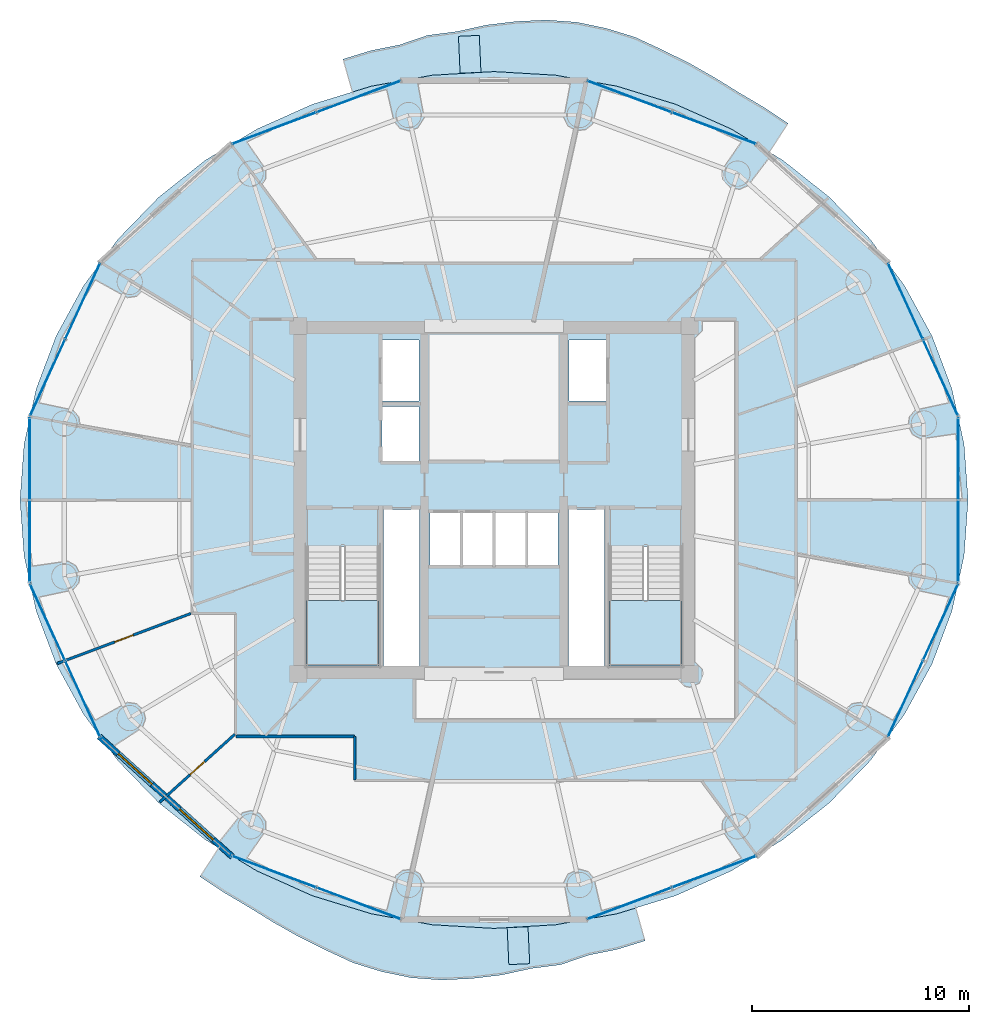
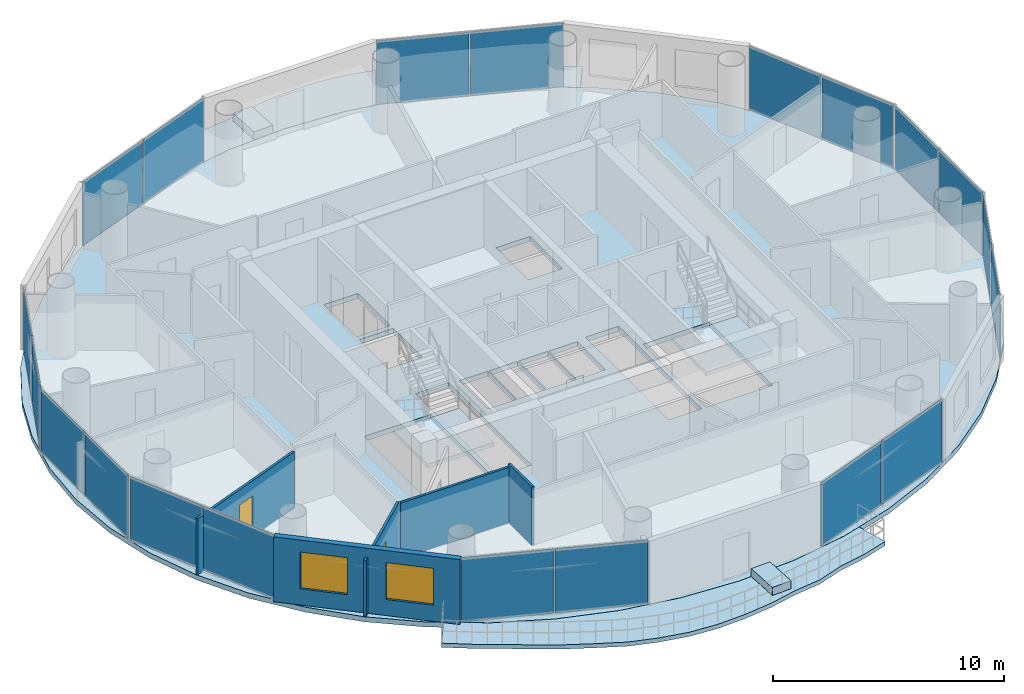
# One storey, part 19 of 26: 20 plates, 7 slabs, 5 walls, 2 doors, 2 windows, 4 openings, 12 elements without a shape of their own.
"""IFC4 building model written with IfcOpenShell, lengths in metres."""

from ifc_helpers import new_model, si_unit, direction, frame, frame_2d, origin, origin_2d, place, context, subcontext, project, spatial, polyline, rectangle, outline, extrude, source, transform, mapped, material, layer, layer_set, type_object, element, fill, aggregate, save


model = new_model("IFC4")

# Units and contexts
model_context = context("Model", 3, precision=1e-05, world=origin(), true_north=direction((-0.2419218956, 0.970295726276)))
body_context = subcontext(model_context, "Body", "Model", "MODEL_VIEW")
ifc_project = project(units=[si_unit("LENGTHUNIT", "METRE"), si_unit("AREAUNIT", "SQUARE_METRE"), si_unit("VOLUMEUNIT", "CUBIC_METRE"), si_unit("PLANEANGLEUNIT", "RADIAN"), si_unit("MASSUNIT", "GRAM", prefix="KILO")], contexts=[model_context])

# Site, building, storey
site_placement = place(None, origin())
site = spatial("IfcSite", under=ifc_project, at=site_placement, CompositionType="ELEMENT")
building_placement = place(site_placement, origin())
building = spatial("IfcBuilding", under=site, at=building_placement, Name="Cobrevalo Terracotta Tower", CompositionType="ELEMENT")
storey_placement = place(building_placement, frame((0.0, 0.0, 224.5)))
storey = spatial("IfcBuildingStorey", under=building, at=storey_placement, Name="L59", CompositionType="ELEMENT", Elevation=224.5)

# Stair, slab
ifc_material_1 = material(Name="Concrete C50", Category="concrete")
stair_type = type_object("IfcStairType", Name="Core protected escape dogleg stair 1600", PredefinedType="HALF_TURN_STAIR", material=ifc_material_1)
stair_1_placement = place(storey_placement, origin())
stair_1 = element("IfcStair", 1, at=stair_1_placement, inside=storey, type_object=stair_type, Name="L59 Protected exit stair ST-1", PredefinedType="HALF_TURN_STAIR")
ifc_layer_1 = layer(ifc_material_1, 0.199951171875)
ifc_layer_set_1 = layer_set([ifc_layer_1], Name="Concrete C50")
slab_type_1 = type_object("IfcSlabType", Name="Reinforced Concrete Stair Landing 200", PredefinedType="LANDING", material=ifc_layer_set_1)
slab_1_placement = place(storey_placement, frame((0.0, 0.0, 1.64990234375)))
slab_1 = element("IfcSlab", 2, at=slab_1_placement, type_object=slab_type_1, Name="ST-1 landing 1", PredefinedType="LANDING", context=body_context, shape_type="SweptSolid", body=[
    extrude(outline(polyline([(29.375, 22.179931640625), (29.375, 19.175048828125), (32.695068359375, 19.175048828125), (32.695068359375, 22.179931640625), (29.375, 22.179931640625)])), origin(), (0.0, 0.0, 1.0), 0.2001953125),
])
aggregate(stair_1, [slab_1])

stair_2_placement = place(storey_placement, origin())
stair_2 = element("IfcStair", 3, at=stair_2_placement, inside=storey, type_object=stair_type, Name="L59 Protected exit stair ST-2", PredefinedType="HALF_TURN_STAIR")
slab_2_placement = place(storey_placement, frame((0.0, 0.0, 1.64990234375)))
slab_2 = element("IfcSlab", 4, at=slab_2_placement, type_object=slab_type_1, Name="ST-2 landing 1", PredefinedType="LANDING", context=body_context, shape_type="SweptSolid", body=[
    extrude(outline(polyline([(43.304931640625, 22.179931640625), (43.304931640625, 19.175048828125), (46.625, 19.175048828125), (46.625, 22.179931640625), (43.304931640625, 22.179931640625)])), origin(), (0.0, 0.0, 1.0), 0.2001953125),
])
aggregate(stair_2, [slab_2])

# Slabs
ifc_material_2 = material(Name="Concrete C45", Category="concrete")
ifc_layer_2 = layer(ifc_material_2, 0.219970703125)
ifc_layer_set_2 = layer_set([ifc_layer_2], Name="Concrete C45")
slab_type_2 = type_object("IfcSlabType", Name="Spiralling cantilevered balcony lobe slab 220 mm", PredefinedType="FLOOR", material=ifc_layer_set_2)
slab_3_placement = place(storey_placement, frame((0.0, 0.0, -0.219970703125)))
element("IfcSlab", 5, at=slab_3_placement, inside=storey, type_object=slab_type_2, Name="L59 spiralling arc balcony slab lobe 1", PredefinedType="FLOOR", context=body_context, shape_type="SweptSolid", body=[
    extrude(outline(polyline([(51.523193359375, 44.118896484375), (50.4287109375, 44.844970703125), (49.2939453125, 45.514892578125), (48.152099609375, 46.21923828125), (46.976318359375, 46.886962890625), (45.7470703125, 47.49462890625), (44.489013671875, 48.08056640625), (43.163818359375, 48.4892578125), (41.802490234375, 48.7724609375), (40.416259765625, 48.872802734375), (39.022216796875, 48.808349609375), (37.644287109375, 48.64111328125), (36.28857421875, 48.343505859375), (34.941162109375, 48.1689453125), (33.644775390625, 47.7275390625), (32.329833984375, 47.4638671875), (31.05517578125, 47.07080078125), (31.483154296875, 45.5625), (32.357177734375, 45.83056640625), (35.154296875, 46.33349609375), (38.0, 46.501953125), (40.845703125, 46.33349609375), (43.642822265625, 45.83056640625), (46.34326171875, 45.002197265625), (48.90087890625, 43.862548828125), (50.667724609375, 42.795654296875), (51.523193359375, 44.118896484375)])), origin(), (0.0, 0.0, 1.0), 0.219970703125),
])
slab_4_placement = place(storey_placement, frame((0.0, 0.0, -0.219970703125)))
element("IfcSlab", 6, at=slab_4_placement, inside=storey, type_object=slab_type_2, Name="L59 spiralling arc balcony slab lobe 2", PredefinedType="FLOOR", context=body_context, shape_type="SweptSolid", body=[
    extrude(outline(polyline([(24.476806640625, 9.481201171875), (25.5712890625, 8.7548828125), (26.7060546875, 8.085205078125), (27.847900390625, 7.380615234375), (29.023681640625, 6.713134765625), (30.2529296875, 6.10546875), (31.510986328125, 5.519287109375), (32.836181640625, 5.11083984375), (34.197509765625, 4.82763671875), (35.583740234375, 4.72705078125), (36.977783203125, 4.791748046875), (38.355712890625, 4.958984375), (39.71142578125, 5.25634765625), (41.058837890625, 5.43115234375), (42.355224609375, 5.872314453125), (43.670166015625, 6.135986328125), (44.94482421875, 6.529052734375), (44.516845703125, 8.03759765625), (43.642822265625, 7.769287109375), (40.845703125, 7.2666015625), (38.0, 7.097900390625), (35.154296875, 7.2666015625), (32.357177734375, 7.769287109375), (29.65673828125, 8.59765625), (27.09912109375, 9.737548828125), (25.332275390625, 10.80419921875), (24.476806640625, 9.481201171875)])), origin(), (0.0, 0.0, 1.0), 0.219970703125),
])
ifc_material_3 = material(Name="Precast concrete C45", Category="concrete")
ifc_layer_3 = layer(ifc_material_3, 0.419921875)
ifc_layer_set_3 = layer_set([ifc_layer_3], Name="Precast concrete C45")
slab_type_3 = type_object("IfcSlabType", Name="Structural tree planter trough base 420 mm", PredefinedType="USERDEFINED", material=ifc_layer_set_3)
slab_5_placement = place(storey_placement, origin())
element("IfcSlab", 7, at=slab_5_placement, inside=storey, type_object=slab_type_3, Name="L59 structural tree planter trough 1", ObjectType="PLANTER", PredefinedType="USERDEFINED", context=body_context, shape_type="SweptSolid", body=[
    extrude(outline(polyline([(37.3974609375, 46.46728515625), (37.321044921875, 48.16552734375), (36.362060546875, 48.122314453125), (36.4384765625, 46.424072265625), (37.3974609375, 46.46728515625)])), origin(), (0.0, 0.0, 1.0), 0.419921875),
])
slab_6_placement = place(storey_placement, origin())
element("IfcSlab", 8, at=slab_6_placement, inside=storey, type_object=slab_type_3, Name="L59 structural tree planter trough 2", ObjectType="PLANTER", PredefinedType="USERDEFINED", context=body_context, shape_type="SweptSolid", body=[
    extrude(outline(polyline([(38.6025390625, 7.1328125), (38.678955078125, 5.4345703125), (39.637939453125, 5.4775390625), (39.5615234375, 7.17578125), (38.6025390625, 7.1328125)])), origin(), (0.0, 0.0, 1.0), 0.419921875),
])
ifc_layer_4 = layer(ifc_material_2, 0.264892578125)
ifc_layer_set_4 = layer_set([ifc_layer_4], Name="Concrete C45")
slab_type_4 = type_object("IfcSlabType", Name="Zone Z4 elliptical floor plate 265 mm", PredefinedType="FLOOR", material=ifc_layer_set_4)
slab_7_placement = place(storey_placement, frame((0.0, 0.0, -0.264892578125)))
element("IfcSlab", 9, at=slab_7_placement, inside=storey, type_object=slab_type_4, Name="L59 indoor elliptical floor slab", PredefinedType="FLOOR", context=body_context, shape_type="SweptSolid", body=[
    extrude(outline(polyline([(59.613525390625, 24.228515625), (59.05712890625, 21.701171875), (58.140625, 19.26123046875), (56.87939453125, 16.949951171875), (55.295166015625, 14.807373046875), (53.4150390625, 12.8701171875), (51.27099609375, 11.1708984375), (48.89990234375, 9.7392578125), (46.342529296875, 8.599609375), (43.642333984375, 7.771240234375), (40.845458984375, 7.2685546875), (38.0, 7.10009765625), (35.154541015625, 7.2685546875), (32.357666015625, 7.771240234375), (29.657470703125, 8.599609375), (27.10009765625, 9.7392578125), (24.72900390625, 11.1708984375), (22.5849609375, 12.8701171875), (20.704833984375, 14.807373046875), (19.12060546875, 16.949951171875), (17.859375, 19.26123046875), (16.94287109375, 21.701171875), (16.386474609375, 24.228515625), (16.199951171875, 26.800048828125), (16.386474609375, 29.371337890625), (16.94287109375, 31.898681640625), (17.859375, 34.3388671875), (19.12060546875, 36.64990234375), (20.704833984375, 38.79248046875), (22.5849609375, 40.72998046875), (24.72900390625, 42.428955078125), (27.10009765625, 43.860595703125), (29.657470703125, 45.00048828125), (32.357666015625, 45.828857421875), (35.154541015625, 46.33154296875), (38.0, 46.5), (40.845458984375, 46.33154296875), (43.642333984375, 45.828857421875), (46.342529296875, 45.00048828125), (48.89990234375, 43.860595703125), (51.27099609375, 42.428955078125), (53.4150390625, 40.72998046875), (55.295166015625, 38.79248046875), (56.87939453125, 36.64990234375), (58.140625, 34.3388671875), (59.05712890625, 31.898681640625), (59.613525390625, 29.371337890625), (59.800048828125, 26.800048828125), (59.613525390625, 24.228515625)]), holes=[polyline([(32.695068359375, 19.175048828125), (32.695068359375, 24.659912109375), (29.375, 24.659912109375), (29.375, 19.175048828125), (32.695068359375, 19.175048828125)]), polyline([(34.574951171875, 26.360107421875), (32.919921875, 26.360107421875), (32.919921875, 19.175048828125), (34.574951171875, 19.175048828125), (34.574951171875, 26.360107421875)]), polyline([(36.47998046875, 26.25), (35.050048828125, 26.25), (35.050048828125, 23.800048828125), (36.47998046875, 23.800048828125), (36.47998046875, 26.25)]), polyline([(37.9599609375, 23.800048828125), (37.9599609375, 26.25), (36.530029296875, 26.25), (36.530029296875, 23.800048828125), (37.9599609375, 23.800048828125)]), polyline([(34.550048828125, 28.60009765625), (34.550048828125, 31.10009765625), (32.85009765625, 31.10009765625), (32.85009765625, 28.60009765625), (34.550048828125, 28.60009765625)]), polyline([(34.550048828125, 34.14990234375), (32.85009765625, 34.14990234375), (32.85009765625, 31.35009765625), (34.550048828125, 31.35009765625), (34.550048828125, 34.14990234375)]), polyline([(43.304931640625, 19.175048828125), (46.625, 19.175048828125), (46.625, 24.659912109375), (43.304931640625, 24.659912109375), (43.304931640625, 19.175048828125)]), polyline([(43.080078125, 19.175048828125), (43.080078125, 26.360107421875), (41.425048828125, 26.360107421875), (41.425048828125, 19.175048828125), (43.080078125, 19.175048828125)]), polyline([(39.469970703125, 26.25), (38.0400390625, 26.25), (38.0400390625, 23.800048828125), (39.469970703125, 23.800048828125), (39.469970703125, 26.25)]), polyline([(40.949951171875, 23.800048828125), (40.949951171875, 26.25), (39.52001953125, 26.25), (39.52001953125, 23.800048828125), (40.949951171875, 23.800048828125)]), polyline([(43.14990234375, 31.35009765625), (43.14990234375, 34.14990234375), (41.449951171875, 34.14990234375), (41.449951171875, 31.35009765625), (43.14990234375, 31.35009765625)])]), origin(), (0.0, 0.0, 1.0), 0.264892578125),
])

# Curtain wall, plates
ifc_material_4 = material(Name="Anodized aluminium", Category="aluminium")
curtain_wall_type = type_object("IfcCurtainWallType", Name="Mid-tower high-wind unitised curtain wall CW-U2", PredefinedType="NOTDEFINED", material=ifc_material_4)
curtain_wall_1_placement = place(storey_placement, origin())
curtain_wall_1 = element("IfcCurtainWall", 10, at=curtain_wall_1_placement, inside=storey, type_object=curtain_wall_type, Name="L59 curtain wall CW-L59-S01", PredefinedType="NOTDEFINED")
ifc_material_5 = material(Name="Solar-control low-E double glazing", Category="glass")
ifc_layer_5 = layer(ifc_material_5, 0.028076171875)
ifc_layer_set_5 = layer_set([ifc_layer_5], Name="Solar-control low-E double glazing")
plate_type = type_object("IfcPlateType", Name="Tower solar-control low-E vision glass panel 28 mm", PredefinedType="CURTAIN_PANEL", material=ifc_layer_set_5)
shared_shape_1 = source(origin(), body_context, "Body", "SweptSolid", [
    extrude(rectangle(XDim=3.780029296875, YDim=0.035888671875, at=origin_2d()), origin(), (0.0, 0.0, 1.0), 3.35498046875),
])
plate_1_placement = place(storey_placement, frame((58.53076171875, 32.42822265625, 0.0400390625), z_axis=(0.0, 0.0, 1.0), x_axis=(-0.416731425355, 0.909029657999, 0.0)))
plate_1 = element("IfcPlate", 11, at=plate_1_placement, type_object=plate_type, Name="CW-L59-S01 glazing panel B01", PredefinedType="CURTAIN_PANEL", context=body_context, shape_type="MappedRepresentation", body=[
    mapped(shared_shape_1, transform((0.0, 0.0, 0.0), scale=1.0)),
])
plate_2_placement = place(storey_placement, frame((56.922119140625, 35.937255859375, 0.0400390625), z_axis=(0.0, 0.0, 1.0), x_axis=(-0.416731425355, 0.909029657999, 0.0)))
plate_2 = element("IfcPlate", 12, at=plate_2_placement, type_object=plate_type, Name="CW-L59-S01 glazing panel B02", PredefinedType="CURTAIN_PANEL", context=body_context, shape_type="MappedRepresentation", body=[
    mapped(shared_shape_1, transform((0.0, 0.0, 0.0), scale=1.0)),
])
aggregate(curtain_wall_1, [plate_1, plate_2])

curtain_wall_2_placement = place(storey_placement, origin())
curtain_wall_2 = element("IfcCurtainWall", 13, at=curtain_wall_2_placement, inside=storey, type_object=curtain_wall_type, Name="L59 curtain wall CW-L59-S07", PredefinedType="NOTDEFINED")
plate_3_placement = place(storey_placement, frame((19.077880859375, 35.937255859375, 0.0400390625), z_axis=(0.0, 0.0, 1.0), x_axis=(-0.416731425355, -0.909029657999, 0.0)))
plate_3 = element("IfcPlate", 14, at=plate_3_placement, type_object=plate_type, Name="CW-L59-S07 glazing panel B01", PredefinedType="CURTAIN_PANEL", context=body_context, shape_type="MappedRepresentation", body=[
    mapped(shared_shape_1, transform((0.0, 0.0, 0.0), scale=1.0)),
])
plate_4_placement = place(storey_placement, frame((17.46923828125, 32.42822265625, 0.0400390625), z_axis=(0.0, 0.0, 1.0), x_axis=(-0.416731425355, -0.909029657999, 0.0)))
plate_4 = element("IfcPlate", 15, at=plate_4_placement, type_object=plate_type, Name="CW-L59-S07 glazing panel B02", PredefinedType="CURTAIN_PANEL", context=body_context, shape_type="MappedRepresentation", body=[
    mapped(shared_shape_1, transform((0.0, 0.0, 0.0), scale=1.0)),
])
aggregate(curtain_wall_2, [plate_3, plate_4])

curtain_wall_3_placement = place(storey_placement, origin())
curtain_wall_3 = element("IfcCurtainWall", 16, at=curtain_wall_3_placement, inside=storey, type_object=curtain_wall_type, Name="L59 curtain wall CW-L59-S09", PredefinedType="NOTDEFINED")
plate_5_placement = place(storey_placement, frame((17.46923828125, 21.171630859375, 0.0400390625), z_axis=(0.0, 0.0, 1.0), x_axis=(0.416731425355, -0.909029657999, 0.0)))
plate_5 = element("IfcPlate", 17, at=plate_5_placement, type_object=plate_type, Name="CW-L59-S09 glazing panel B01", PredefinedType="CURTAIN_PANEL", context=body_context, shape_type="MappedRepresentation", body=[
    mapped(shared_shape_1, transform((0.0, 0.0, 0.0), scale=1.0)),
])
plate_6_placement = place(storey_placement, frame((19.077880859375, 17.662841796875, 0.0400390625), z_axis=(0.0, 0.0, 1.0), x_axis=(0.416731425355, -0.909029657999, 0.0)))
plate_6 = element("IfcPlate", 18, at=plate_6_placement, type_object=plate_type, Name="CW-L59-S09 glazing panel B02", PredefinedType="CURTAIN_PANEL", context=body_context, shape_type="MappedRepresentation", body=[
    mapped(shared_shape_1, transform((0.0, 0.0, 0.0), scale=1.0)),
])
aggregate(curtain_wall_3, [plate_5, plate_6])

curtain_wall_4_placement = place(storey_placement, origin())
curtain_wall_4 = element("IfcCurtainWall", 19, at=curtain_wall_4_placement, inside=storey, type_object=curtain_wall_type, Name="L59 curtain wall CW-L59-S15", PredefinedType="NOTDEFINED")
plate_7_placement = place(storey_placement, frame((56.922119140625, 17.662841796875, 0.0400390625), z_axis=(0.0, 0.0, 1.0), x_axis=(0.416731425355, 0.909029657999, 0.0)))
plate_7 = element("IfcPlate", 20, at=plate_7_placement, type_object=plate_type, Name="CW-L59-S15 glazing panel B01", PredefinedType="CURTAIN_PANEL", context=body_context, shape_type="MappedRepresentation", body=[
    mapped(shared_shape_1, transform((0.0, 0.0, 0.0), scale=1.0)),
])
plate_8_placement = place(storey_placement, frame((58.53076171875, 21.171630859375, 0.0400390625), z_axis=(0.0, 0.0, 1.0), x_axis=(0.416731425355, 0.909029657999, 0.0)))
plate_8 = element("IfcPlate", 21, at=plate_8_placement, type_object=plate_type, Name="CW-L59-S15 glazing panel B02", PredefinedType="CURTAIN_PANEL", context=body_context, shape_type="MappedRepresentation", body=[
    mapped(shared_shape_1, transform((0.0, 0.0, 0.0), scale=1.0)),
])
aggregate(curtain_wall_4, [plate_7, plate_8])

curtain_wall_5_placement = place(storey_placement, origin())
curtain_wall_5 = element("IfcCurtainWall", 22, at=curtain_wall_5_placement, inside=storey, type_object=curtain_wall_type, Name="L59 curtain wall CW-L59-S08", PredefinedType="NOTDEFINED")
shared_shape_2 = source(origin(), body_context, "Body", "SweptSolid", [
    extrude(rectangle(XDim=3.71728515625, YDim=0.035888671875, at=origin_2d()), origin(), (0.0, 0.0, 1.0), 3.35498046875),
])
plate_9_placement = place(storey_placement, frame((16.648193359375, 28.69873046875, 0.0400390625), z_axis=(0.0, 0.0, 1.0), x_axis=(0.0, -1.0, 0.0)))
plate_9 = element("IfcPlate", 23, at=plate_9_placement, type_object=plate_type, Name="CW-L59-S08 glazing panel B01", PredefinedType="CURTAIN_PANEL", context=body_context, shape_type="MappedRepresentation", body=[
    mapped(shared_shape_2, transform((0.0, 0.0, 0.0), scale=1.0)),
])
plate_10_placement = place(storey_placement, frame((16.648193359375, 24.9013671875, 0.0400390625), z_axis=(0.0, 0.0, 1.0), x_axis=(0.0, -1.0, 0.0)))
plate_10 = element("IfcPlate", 24, at=plate_10_placement, type_object=plate_type, Name="CW-L59-S08 glazing panel B02", PredefinedType="CURTAIN_PANEL", context=body_context, shape_type="MappedRepresentation", body=[
    mapped(shared_shape_2, transform((0.0, 0.0, 0.0), scale=1.0)),
])
aggregate(curtain_wall_5, [plate_9, plate_10])

curtain_wall_6_placement = place(storey_placement, origin())
curtain_wall_6 = element("IfcCurtainWall", 25, at=curtain_wall_6_placement, inside=storey, type_object=curtain_wall_type, Name="L59 curtain wall CW-L59-S16", PredefinedType="NOTDEFINED")
plate_11_placement = place(storey_placement, frame((59.351806640625, 24.9013671875, 0.0400390625), z_axis=(0.0, 0.0, 1.0), x_axis=(0.0, 1.0, 0.0)))
plate_11 = element("IfcPlate", 26, at=plate_11_placement, type_object=plate_type, Name="CW-L59-S16 glazing panel B01", PredefinedType="CURTAIN_PANEL", context=body_context, shape_type="MappedRepresentation", body=[
    mapped(shared_shape_2, transform((0.0, 0.0, 0.0), scale=1.0)),
])
plate_12_placement = place(storey_placement, frame((59.351806640625, 28.69873046875, 0.0400390625), z_axis=(0.0, 0.0, 1.0), x_axis=(0.0, 1.0, 0.0)))
plate_12 = element("IfcPlate", 27, at=plate_12_placement, type_object=plate_type, Name="CW-L59-S16 glazing panel B02", PredefinedType="CURTAIN_PANEL", context=body_context, shape_type="MappedRepresentation", body=[
    mapped(shared_shape_2, transform((0.0, 0.0, 0.0), scale=1.0)),
])
aggregate(curtain_wall_6, [plate_11, plate_12])

curtain_wall_7_placement = place(storey_placement, origin())
curtain_wall_7 = element("IfcCurtainWall", 28, at=curtain_wall_7_placement, inside=storey, type_object=curtain_wall_type, Name="L59 curtain wall CW-L59-S03", PredefinedType="NOTDEFINED")
shared_shape_3 = source(origin(), body_context, "Body", "SweptSolid", [
    extrude(rectangle(XDim=4.069580078125, YDim=0.035888671875, at=origin_2d()), origin(), (0.0, 0.0, 1.0), 3.35498046875),
])
plate_13_placement = place(storey_placement, frame((48.114013671875, 43.896240234375, 0.0400390625), z_axis=(0.0, 0.0, 1.0), x_axis=(-0.936557839879, 0.350513070458, 0.0)))
plate_13 = element("IfcPlate", 29, at=plate_13_placement, type_object=plate_type, Name="CW-L59-S03 glazing panel B01", PredefinedType="CURTAIN_PANEL", context=body_context, shape_type="MappedRepresentation", body=[
    mapped(shared_shape_3, transform((0.0, 0.0, 0.0), scale=1.0)),
])
plate_14_placement = place(storey_placement, frame((44.227783203125, 45.350830078125, 0.0400390625), z_axis=(0.0, 0.0, 1.0), x_axis=(-0.936557839879, 0.350513070458, 0.0)))
plate_14 = element("IfcPlate", 30, at=plate_14_placement, type_object=plate_type, Name="CW-L59-S03 glazing panel B02", PredefinedType="CURTAIN_PANEL", context=body_context, shape_type="MappedRepresentation", body=[
    mapped(shared_shape_3, transform((0.0, 0.0, 0.0), scale=1.0)),
])
aggregate(curtain_wall_7, [plate_13, plate_14])

curtain_wall_8_placement = place(storey_placement, origin())
curtain_wall_8 = element("IfcCurtainWall", 31, at=curtain_wall_8_placement, inside=storey, type_object=curtain_wall_type, Name="L59 curtain wall CW-L59-S05", PredefinedType="NOTDEFINED")
plate_15_placement = place(storey_placement, frame((31.772216796875, 45.350830078125, 0.0400390625), z_axis=(0.0, 0.0, 1.0), x_axis=(-0.936557839879, -0.350513070458, 0.0)))
plate_15 = element("IfcPlate", 32, at=plate_15_placement, type_object=plate_type, Name="CW-L59-S05 glazing panel B01", PredefinedType="CURTAIN_PANEL", context=body_context, shape_type="MappedRepresentation", body=[
    mapped(shared_shape_3, transform((0.0, 0.0, 0.0), scale=1.0)),
])
plate_16_placement = place(storey_placement, frame((27.885986328125, 43.896240234375, 0.0400390625), z_axis=(0.0, 0.0, 1.0), x_axis=(-0.936557839879, -0.350513070458, 0.0)))
plate_16 = element("IfcPlate", 33, at=plate_16_placement, type_object=plate_type, Name="CW-L59-S05 glazing panel B02", PredefinedType="CURTAIN_PANEL", context=body_context, shape_type="MappedRepresentation", body=[
    mapped(shared_shape_3, transform((0.0, 0.0, 0.0), scale=1.0)),
])
aggregate(curtain_wall_8, [plate_15, plate_16])

curtain_wall_9_placement = place(storey_placement, origin())
curtain_wall_9 = element("IfcCurtainWall", 34, at=curtain_wall_9_placement, inside=storey, type_object=curtain_wall_type, Name="L59 curtain wall CW-L59-S11", PredefinedType="NOTDEFINED")
plate_17_placement = place(storey_placement, frame((27.885986328125, 9.70361328125, 0.0400390625), z_axis=(0.0, 0.0, 1.0), x_axis=(0.936557839879, -0.350513070458, 0.0)))
plate_17 = element("IfcPlate", 35, at=plate_17_placement, type_object=plate_type, Name="CW-L59-S11 glazing panel B01", PredefinedType="CURTAIN_PANEL", context=body_context, shape_type="MappedRepresentation", body=[
    mapped(shared_shape_3, transform((0.0, 0.0, 0.0), scale=1.0)),
])
plate_18_placement = place(storey_placement, frame((31.772216796875, 8.249267578125, 0.0400390625), z_axis=(0.0, 0.0, 1.0), x_axis=(0.936557839879, -0.350513070458, 0.0)))
plate_18 = element("IfcPlate", 36, at=plate_18_placement, type_object=plate_type, Name="CW-L59-S11 glazing panel B02", PredefinedType="CURTAIN_PANEL", context=body_context, shape_type="MappedRepresentation", body=[
    mapped(shared_shape_3, transform((0.0, 0.0, 0.0), scale=1.0)),
])
aggregate(curtain_wall_9, [plate_17, plate_18])

curtain_wall_10_placement = place(storey_placement, origin())
curtain_wall_10 = element("IfcCurtainWall", 37, at=curtain_wall_10_placement, inside=storey, type_object=curtain_wall_type, Name="L59 curtain wall CW-L59-S13", PredefinedType="NOTDEFINED")
plate_19_placement = place(storey_placement, frame((44.227783203125, 8.249267578125, 0.0400390625), z_axis=(0.0, 0.0, 1.0), x_axis=(0.936557839879, 0.350513070458, 0.0)))
plate_19 = element("IfcPlate", 38, at=plate_19_placement, type_object=plate_type, Name="CW-L59-S13 glazing panel B01", PredefinedType="CURTAIN_PANEL", context=body_context, shape_type="MappedRepresentation", body=[
    mapped(shared_shape_3, transform((0.0, 0.0, 0.0), scale=1.0)),
])
plate_20_placement = place(storey_placement, frame((48.114013671875, 9.70361328125, 0.0400390625), z_axis=(0.0, 0.0, 1.0), x_axis=(0.936557839879, 0.350513070458, 0.0)))
plate_20 = element("IfcPlate", 39, at=plate_20_placement, type_object=plate_type, Name="CW-L59-S13 glazing panel B02", PredefinedType="CURTAIN_PANEL", context=body_context, shape_type="MappedRepresentation", body=[
    mapped(shared_shape_3, transform((0.0, 0.0, 0.0), scale=1.0)),
])
aggregate(curtain_wall_10, [plate_19, plate_20])

# Wall, openings, windows
ifc_material_6 = material(Name="Autoclaved aerated concrete block", Category="concrete")
ifc_layer_6 = layer(ifc_material_6, 0.280029296875)
ifc_layer_set_6 = layer_set([ifc_layer_6], Name="Autoclaved aerated concrete block")
wall_type_1 = type_object("IfcWallType", Name="Insulated tower spandrel & pier wall 280 mm with terracotta rainscreen", PredefinedType="SOLIDWALL", material=ifc_layer_set_6)
wall_1_placement = place(storey_placement, frame((19.839599609375, 15.925537109375, 0.0), z_axis=(0.0, 0.0, 1.0), x_axis=(0.741986838603, -0.670414447443, 0.0)))
wall_1 = element("IfcWall", 40, at=wall_1_placement, inside=storey, type_object=wall_type_1, Name="L59 terracotta rainscreen pier wall S10", PredefinedType="SOLIDWALL", context=body_context, shape_type="SweptSolid", body=[
    extrude(rectangle(XDim=8.2548828125, YDim=0.280029296875, at=frame_2d((4.12744140625, 0.0))), origin(), (0.0, 0.0, 1.0), 3.43505859375),
])
opening_1_placement = place(wall_1_placement, frame((1.1787109375, 0.0, 0.85009765625)))
opening_1 = element("IfcOpeningElement", 41, at=opening_1_placement, cuts=wall_1, Name="Opening WN-10", PredefinedType="OPENING", context=body_context, shape_type="SweptSolid", body=[
    extrude(rectangle(XDim=2.10009765625, YDim=1.949951171875, at=frame_2d((1.050048828125, 0.97509765625))), frame((0.0, 0.14990234375, 0.0), z_axis=(0.0, -1.0, 0.0), x_axis=(1.0, 0.0, 0.0)), (0.0, 0.0, 1.0), 0.300048828125),
])
opening_2_placement = place(wall_1_placement, frame((4.97607421875, 0.0, 0.85009765625)))
opening_2 = element("IfcOpeningElement", 42, at=opening_2_placement, cuts=wall_1, Name="Opening WN-10", PredefinedType="OPENING", context=body_context, shape_type="SweptSolid", body=[
    extrude(rectangle(XDim=2.10009765625, YDim=1.949951171875, at=frame_2d((1.050048828125, 0.97509765625))), frame((0.0, 0.14990234375, 0.0), z_axis=(0.0, -1.0, 0.0), x_axis=(1.0, 0.0, 0.0)), (0.0, 0.0, 1.0), 0.300048828125),
])
window_type = type_object("IfcWindowType", Name="Wide panoramic low-E aluminium window 2100x1950", PartitioningType="SINGLE_PANEL", PredefinedType="WINDOW", material=ifc_material_5)
shared_shape_4 = source(origin(), body_context, "Body", "SweptSolid", [
    extrude(rectangle(XDim=2.10009765625, YDim=1.949951171875, at=frame_2d((1.050048828125, 0.97509765625))), frame((0.0, 0.030029296875, 0.0), z_axis=(0.0, -1.0, 0.0), x_axis=(1.0, 0.0, 0.0)), (0.0, 0.0, 1.0), 0.06005859375),
])
window_1_placement = place(opening_1_placement, origin())
window_1 = element("IfcWindow", 43, at=window_1_placement, inside=storey, type_object=window_type, Name="L59 suite window S10A", OverallHeight=1.949951171875, OverallWidth=2.10009765625, PartitioningType="SINGLE_PANEL", PredefinedType="WINDOW", context=body_context, shape_type="MappedRepresentation", body=[
    mapped(shared_shape_4, transform((0.0, 0.0, 0.0), scale=1.0)),
])
fill(opening_1, window_1)
window_2_placement = place(opening_2_placement, origin())
window_2 = element("IfcWindow", 44, at=window_2_placement, inside=storey, type_object=window_type, Name="L59 suite window S10B", OverallHeight=1.949951171875, OverallWidth=2.10009765625, PartitioningType="SINGLE_PANEL", PredefinedType="WINDOW", context=body_context, shape_type="MappedRepresentation", body=[
    mapped(shared_shape_4, transform((0.0, 0.0, 0.0), scale=1.0)),
])
fill(opening_2, window_2)

# Walls
ifc_material_7 = material(Name="Gypsum board on steel stud", Category="steel")
ifc_layer_7 = layer(ifc_material_7, 0.1201171875)
ifc_layer_set_7 = layer_set([ifc_layer_7], Name="Gypsum board on steel stud")
wall_type_2 = type_object("IfcWallType", Name="Residential internal acoustic stud partition 120 mm", PredefinedType="PARTITIONING", material=ifc_layer_set_7)
wall_2_placement = place(storey_placement, frame((31.590087890625, 13.9150390625, 0.0), z_axis=(0.0, 0.0, 1.0), x_axis=(0.0, 1.0, 0.0)))
element("IfcWall", 45, at=wall_2_placement, inside=storey, type_object=wall_type_2, Name="L59 interior partition IW-L59-U1-RING1_0", PredefinedType="PARTITIONING", context=body_context, shape_type="SweptSolid", body=[
    extrude(rectangle(XDim=2.010009765625, YDim=0.1201171875, at=frame_2d((1.0048828125, 0.0))), origin(), (0.0, 0.0, 1.0), 3.110107421875),
])
wall_3_placement = place(storey_placement, frame((31.590087890625, 15.925048828125, 0.0), z_axis=(0.0, 0.0, 1.0), x_axis=(-1.0, 0.0, 0.0)))
element("IfcWall", 46, at=wall_3_placement, inside=storey, type_object=wall_type_2, Name="L59 interior partition IW-L59-U1-RING2_0", PredefinedType="PARTITIONING", context=body_context, shape_type="SweptSolid", body=[
    extrude(rectangle(XDim=5.465087890625, YDim=0.1201171875, at=frame_2d((2.732421875, 0.0))), origin(), (0.0, 0.0, 1.0), 2.950927734375),
])

# Wall, opening, door
wall_4_placement = place(storey_placement, frame((24.056884765625, 21.5810546875, 0.0), z_axis=(0.0, 0.0, 1.0), x_axis=(-0.936527968377, -0.350592875637, 0.0)))
wall_4 = element("IfcWall", 47, at=wall_4_placement, inside=storey, type_object=wall_type_2, Name="L59 interior partition IW-L59-U1-ORAD4", PredefinedType="PARTITIONING", context=body_context, shape_type="SweptSolid", body=[
    extrude(rectangle(XDim=6.556396484375, YDim=0.1201171875, at=frame_2d((3.2783203125, 0.0))), origin(), (0.0, 0.0, 1.0), 2.950927734375),
])
opening_3_placement = place(wall_4_placement, frame((2.828125, 0.0, 0.0)))
opening_3 = element("IfcOpeningElement", 48, at=opening_3_placement, cuts=wall_4, Name="Opening ID-12", PredefinedType="OPENING", context=body_context, shape_type="SweptSolid", body=[
    extrude(rectangle(XDim=0.89990234375, YDim=2.14990234375, at=frame_2d((0.449951171875, 1.074951171875))), frame((0.0, 0.070068359375, 0.0), z_axis=(0.0, -1.0, 0.0), x_axis=(1.0, 0.0, 0.0)), (0.0, 0.0, 1.0), 0.14013671875),
])
ifc_material_8 = material(Name="Engineered timber", Category="wood")
door_type = type_object("IfcDoorType", Name="Internal residence & suite timber door 900x2150", OperationType="NOTDEFINED", PredefinedType="DOOR", material=ifc_material_8)
shared_shape_5 = source(origin(), body_context, "Body", "SweptSolid", [
    extrude(rectangle(XDim=0.89990234375, YDim=2.14990234375, at=frame_2d((0.449951171875, 1.074951171875))), frame((0.0, 0.02490234375, 0.0), z_axis=(0.0, -1.0, 0.0), x_axis=(1.0, 0.0, 0.0)), (0.0, 0.0, 1.0), 0.050048828125),
])
door_1_placement = place(opening_3_placement, origin())
door_1 = element("IfcDoor", 49, at=door_1_placement, inside=storey, type_object=door_type, Name="Flat L59A Penthouse Family Lounge internal door", OperationType="SINGLE_SWING_LEFT", OverallHeight=2.14990234375, OverallWidth=0.89990234375, PredefinedType="DOOR", context=body_context, shape_type="MappedRepresentation", body=[
    mapped(shared_shape_5, transform((0.0, 0.0, 0.0), scale=1.0)),
])
fill(opening_3, door_1)

wall_5_placement = place(storey_placement, frame((26.0791015625, 16.02734375, 0.0), z_axis=(0.0, 0.0, 1.0), x_axis=(-0.741950057395, -0.67045515311, 0.0)))
wall_5 = element("IfcWall", 50, at=wall_5_placement, inside=storey, type_object=wall_type_2, Name="L59 interior partition IW-L59-U1-ORAD5", PredefinedType="PARTITIONING", context=body_context, shape_type="SweptSolid", body=[
    extrude(rectangle(XDim=4.6474609375, YDim=0.1201171875, at=frame_2d((2.32373046875, 0.0))), origin(), (0.0, 0.0, 1.0), 2.950927734375),
])
opening_4_placement = place(wall_5_placement, frame((1.873779296875, 0.0, 0.0)))
opening_4 = element("IfcOpeningElement", 51, at=opening_4_placement, cuts=wall_5, Name="Opening ID-12", PredefinedType="OPENING", context=body_context, shape_type="SweptSolid", body=[
    extrude(rectangle(XDim=0.89990234375, YDim=2.14990234375, at=frame_2d((0.449951171875, 1.074951171875))), frame((0.0, 0.070068359375, 0.0), z_axis=(0.0, -1.0, 0.0), x_axis=(1.0, 0.0, 0.0)), (0.0, 0.0, 1.0), 0.14013671875),
])
door_2_placement = place(opening_4_placement, origin())
door_2 = element("IfcDoor", 52, at=door_2_placement, inside=storey, type_object=door_type, Name="Flat L59A Private Cinema Room internal door", OperationType="SINGLE_SWING_RIGHT", OverallHeight=2.14990234375, OverallWidth=0.89990234375, PredefinedType="DOOR", context=body_context, shape_type="MappedRepresentation", body=[
    mapped(shared_shape_5, transform((0.0, 0.0, 0.0), scale=1.0)),
])
fill(opening_4, door_2)

save(model, "model.ifc")
